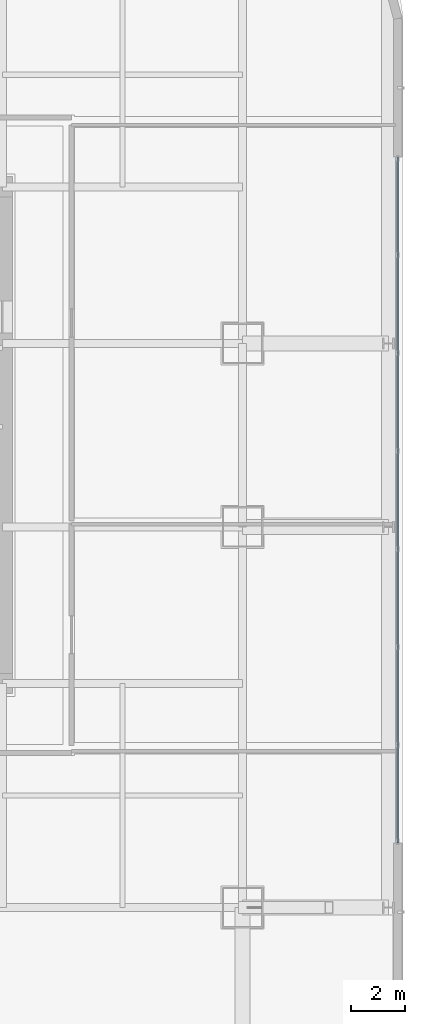
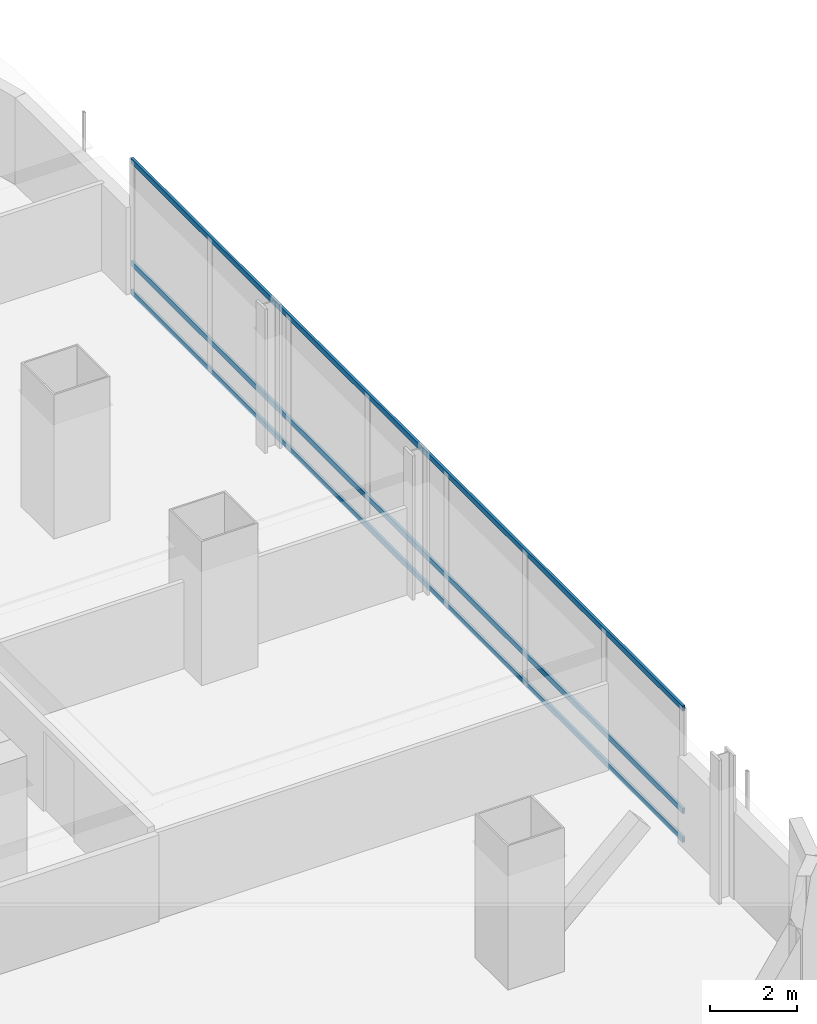
# One storey, part 16 of 42: 3 members, 1 element without a shape of its own.
"""IFC4 building model written with IfcOpenShell, lengths in metres."""

from ifc_helpers import new_model, si_unit, direction, frame, origin, origin_2d, place, context, subcontext, project, spatial, hollow_rectangle, extrude, material, material_profile, profile_set, type_object, element, aggregate, save


model = new_model("IFC4")

# Units and contexts
model_context = context("Model", 3, precision=1e-05, world=origin(), true_north=direction((0.0, 1.0)))
body_context = subcontext(model_context, "Body", "Model", "MODEL_VIEW")
ifc_project = project(units=[si_unit("LENGTHUNIT", "METRE"), si_unit("AREAUNIT", "SQUARE_METRE"), si_unit("VOLUMEUNIT", "CUBIC_METRE"), si_unit("PLANEANGLEUNIT", "RADIAN"), si_unit("MASSUNIT", "GRAM", prefix="KILO")], contexts=[model_context])

# Site, building, storey
site_placement = place(None, origin())
site = spatial("IfcSite", under=ifc_project, at=site_placement, CompositionType="ELEMENT")
building_placement = place(site_placement, origin())
building = spatial("IfcBuilding", under=site, at=building_placement, Name="Punatoya Terracotta Tower", CompositionType="ELEMENT")
storey_placement = place(building_placement, frame((0.0, 0.0, 88.949951171875)))
storey = spatial("IfcBuildingStorey", under=building, at=storey_placement, Name="L20", CompositionType="ELEMENT", Elevation=88.949951171875)

# Curtain wall, members
ifc_material_1 = material(Name="Aluminium 6063-T6 + Double Low-E Glass", Category="aluminium")
curtain_wall_type = type_object("IfcCurtainWallType", Name="CW-M1", PredefinedType="NOTDEFINED", material=ifc_material_1)
curtain_wall_placement = place(storey_placement, origin())
curtain_wall = element("IfcCurtainWall", 1, at=curtain_wall_placement, inside=storey, type_object=curtain_wall_type, Name="L20 Curtain Wall CW-L20-E05-1", PredefinedType="NOTDEFINED")
ifc_material_2 = material(Name="Aluminium 6063-T6", Category="aluminium")
ifc_material_profile = material_profile(ifc_material_2, hollow_rectangle(XDim=0.068115234375, YDim=0.14990234375, WallThickness=0.00390625, at=origin_2d()))
ifc_profile_set = profile_set([ifc_material_profile], Name="Aluminium 6063-T6")
member_type = type_object("IfcMemberType", Name="CW-TRN-TYP", PredefinedType="USERDEFINED", material=ifc_profile_set)
member_1_placement = place(storey_placement, frame((24.85009765625, -15.10009765625, 0.0400390625), z_axis=(0.0, 1.0, 0.0), x_axis=(-1.0, 0.0, 0.0)))
member_1 = element("IfcMember", 2, at=member_1_placement, type_object=member_type, Name="CW-L20-E05-1 Transom 1", ObjectType="TRANSOM", PredefinedType="USERDEFINED", context=body_context, shape_type="SweptSolid", body=[
    extrude(hollow_rectangle(XDim=0.068115234375, YDim=0.14990234375, WallThickness=0.00390625, at=origin_2d()), origin(), (0.0, 0.0, 1.0), 25.400146484375),
])
member_2_placement = place(storey_placement, frame((24.85009765625, -15.10009765625, 0.85009765625), z_axis=(0.0, 1.0, 0.0), x_axis=(-1.0, 0.0, 0.0)))
member_2 = element("IfcMember", 3, at=member_2_placement, type_object=member_type, Name="CW-L20-E05-1 Transom 2", ObjectType="TRANSOM", PredefinedType="USERDEFINED", context=body_context, shape_type="SweptSolid", body=[
    extrude(hollow_rectangle(XDim=0.068115234375, YDim=0.14990234375, WallThickness=0.00390625, at=origin_2d()), origin(), (0.0, 0.0, 1.0), 25.400146484375),
])
member_3_placement = place(storey_placement, frame((24.85009765625, -15.10009765625, 3.72998046875), z_axis=(0.0, 1.0, 0.0), x_axis=(-1.0, 0.0, 0.0)))
member_3 = element("IfcMember", 4, at=member_3_placement, type_object=member_type, Name="CW-L20-E05-1 Transom 3", ObjectType="TRANSOM", PredefinedType="USERDEFINED", context=body_context, shape_type="SweptSolid", body=[
    extrude(hollow_rectangle(XDim=0.068115234375, YDim=0.14990234375, WallThickness=0.00390625, at=origin_2d()), origin(), (0.0, 0.0, 1.0), 25.400146484375),
])
aggregate(curtain_wall, [member_1, member_2, member_3])

save(model, "model.ifc")
